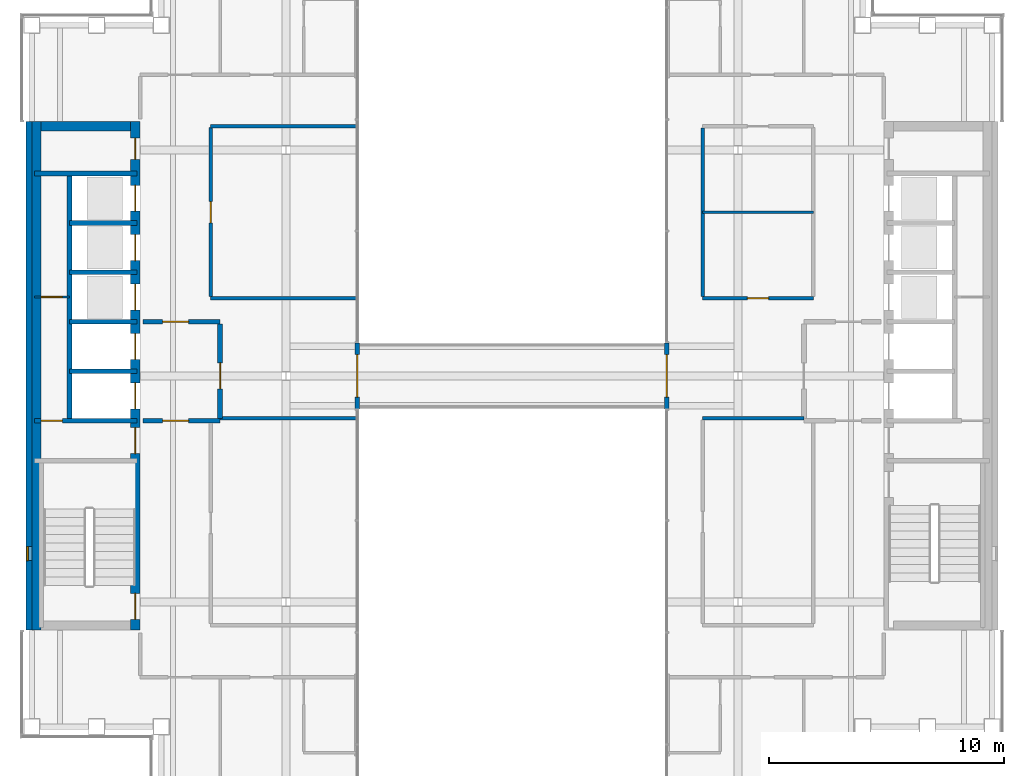
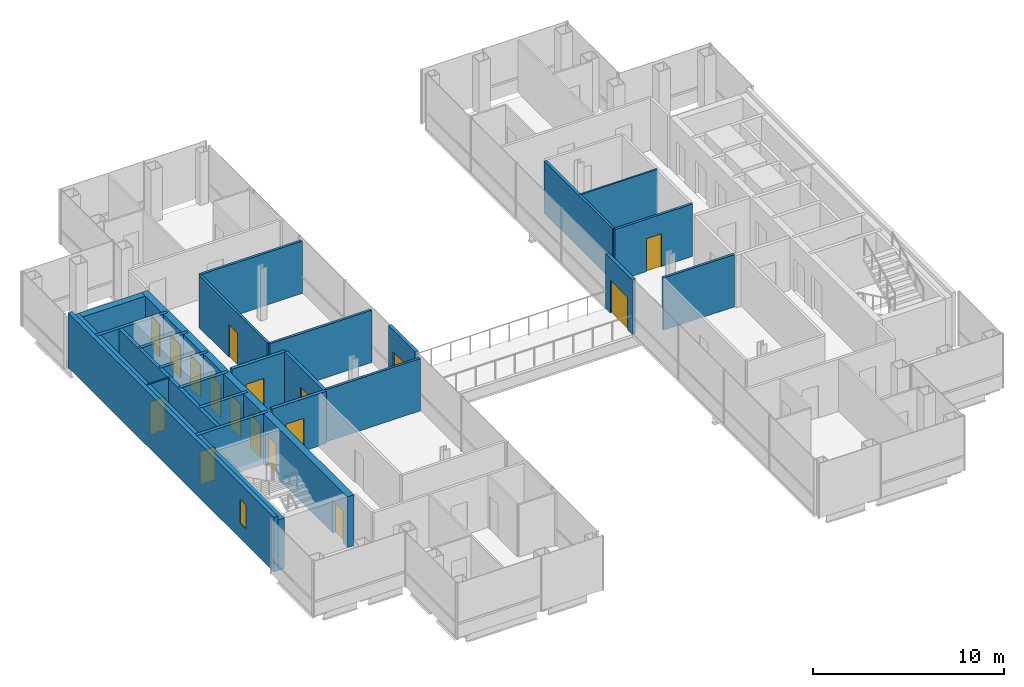
# One storey, part 11 of 15: 25 walls, 17 doors, 1 window, 18 openings.
"""IFC4 building model written with IfcOpenShell, lengths in metres."""

from ifc_helpers import new_model, si_unit, direction, frame, frame_2d, origin, place, context, subcontext, project, spatial, rectangle, extrude, material, layer, layer_set, type_object, element, fill, save


model = new_model("IFC4")

# Units and contexts
model_context = context("Model", 3, precision=1e-05, world=origin(), true_north=direction((0.0, 1.0)))
body_context = subcontext(model_context, "Body", "Model", "MODEL_VIEW")
ifc_project = project(units=[si_unit("LENGTHUNIT", "METRE"), si_unit("AREAUNIT", "SQUARE_METRE"), si_unit("VOLUMEUNIT", "CUBIC_METRE"), si_unit("PLANEANGLEUNIT", "RADIAN"), si_unit("MASSUNIT", "GRAM", prefix="KILO")], contexts=[model_context])

# Site, building, storey
site_placement = place(None, origin())
site = spatial("IfcSite", under=ifc_project, at=site_placement, CompositionType="ELEMENT")
building_placement = place(site_placement, origin())
building = spatial("IfcBuilding", under=site, at=building_placement, Name="Cobrizo Arcos Hotel Tower", CompositionType="ELEMENT")
storey_placement = place(building_placement, frame((0.0, 0.0, 222.5)))
storey = spatial("IfcBuildingStorey", under=building, at=storey_placement, Name="L58", CompositionType="ELEMENT", Elevation=222.5)

# Walls
ifc_material_1 = material(Name="Gypsum board partition")
ifc_layer_1 = layer(ifc_material_1, 0.14990234375)
ifc_layer_set_1 = layer_set([ifc_layer_1], Name="Corridor wall EI 60 150")
wall_type_1 = type_object("IfcWallType", Name="Corridor wall EI 60 150", PredefinedType="PARTITIONING", material=ifc_layer_set_1)
wall_1_placement = place(storey_placement, frame((-12.39990234375, -1.800048828125, 0.0), z_axis=(0.0, 0.0, 1.0), x_axis=(1.0, 0.0, 0.0)))
element("IfcWall", 1, at=wall_1_placement, inside=storey, type_object=wall_type_1, Name="Partition 015", PredefinedType="PARTITIONING", context=body_context, shape_type="SweptSolid", body=[
    extrude(rectangle(XDim=5.77978515625, YDim=0.14990234375, at=frame_2d((2.889892578125, 0.0))), origin(), (0.0, 0.0, 1.0), 3.35009765625),
])
wall_2_placement = place(storey_placement, frame((8.10009765625, -1.800048828125, 0.0), z_axis=(0.0, 0.0, 1.0), x_axis=(1.0, 0.0, 0.0)))
element("IfcWall", 2, at=wall_2_placement, inside=storey, type_object=wall_type_1, Name="Partition 016", PredefinedType="PARTITIONING", context=body_context, shape_type="SweptSolid", body=[
    extrude(rectangle(XDim=4.2998046875, YDim=0.14990234375, at=frame_2d((2.14990234375, 0.0))), origin(), (0.0, 0.0, 1.0), 3.35009765625),
])
wall_3_placement = place(storey_placement, frame((-12.800048828125, 3.300048828125, 0.0), z_axis=(0.0, 0.0, 1.0), x_axis=(1.0, 0.0, 0.0)))
element("IfcWall", 3, at=wall_3_placement, inside=storey, type_object=wall_type_1, Name="Partition 023", PredefinedType="PARTITIONING", context=body_context, shape_type="SweptSolid", body=[
    extrude(rectangle(XDim=6.179931640625, YDim=0.14990234375, at=frame_2d((3.08984375, 0.0))), origin(), (0.0, 0.0, 1.0), 3.35009765625),
])

# Wall, opening, door
wall_4_placement = place(storey_placement, frame((8.10009765625, 3.300048828125, 0.0), z_axis=(0.0, 0.0, 1.0), x_axis=(1.0, 0.0, 0.0)))
wall_4 = element("IfcWall", 4, at=wall_4_placement, inside=storey, type_object=wall_type_1, Name="Partition 024", PredefinedType="PARTITIONING", context=body_context, shape_type="SweptSolid", body=[
    extrude(rectangle(XDim=4.699951171875, YDim=0.14990234375, at=frame_2d((2.35009765625, 0.0))), origin(), (0.0, 0.0, 1.0), 3.35009765625),
])
opening_1_placement = place(wall_4_placement, frame((1.89990234375, 0.0, 0.0)))
opening_1 = element("IfcOpeningElement", 5, at=opening_1_placement, cuts=wall_4, Name="Opening ED-09", PredefinedType="OPENING", context=body_context, shape_type="SweptSolid", body=[
    extrude(rectangle(XDim=0.89990234375, YDim=2.10009765625, at=frame_2d((0.449951171875, 1.050048828125))), frame((0.0, 0.0869140625, 0.0), z_axis=(0.0, -1.0, 0.0), x_axis=(1.0, 0.0, 0.0)), (0.0, 0.0, 1.0), 0.173828125),
])
ifc_material_2 = material(Name="Timber door leaf", Category="wood")
door_type_1 = type_object("IfcDoorType", Name="En-suite door 900x2100", OperationType="SINGLE_SWING_LEFT", PredefinedType="DOOR", material=ifc_material_2)
door_1_placement = place(opening_1_placement, origin())
door_1 = element("IfcDoor", 6, at=door_1_placement, inside=storey, type_object=door_type_1, Name="Door ED-09", OperationType="SINGLE_SWING_RIGHT", OverallHeight=2.10009765625, OverallWidth=0.89990234375, PredefinedType="DOOR", context=body_context, shape_type="SweptSolid", body=[
    extrude(rectangle(XDim=0.89990234375, YDim=2.10009765625, at=frame_2d((0.449951171875, 1.050048828125))), frame((0.0, 0.02490234375, 0.0), z_axis=(0.0, -1.0, 0.0), x_axis=(1.0, 0.0, 0.0)), (0.0, 0.0, 1.0), 0.050048828125),
])
fill(opening_1, door_1)

# Wall
wall_5_placement = place(storey_placement, frame((-12.800048828125, 10.60009765625, 0.0), z_axis=(0.0, 0.0, 1.0), x_axis=(1.0, 0.0, 0.0)))
element("IfcWall", 7, at=wall_5_placement, inside=storey, type_object=wall_type_1, Name="Partition 034", PredefinedType="PARTITIONING", context=body_context, shape_type="SweptSolid", body=[
    extrude(rectangle(XDim=6.179931640625, YDim=0.14990234375, at=frame_2d((3.08984375, 0.0))), origin(), (0.0, 0.0, 1.0), 3.35009765625),
])

# Wall, opening, door
wall_6_placement = place(storey_placement, frame((-12.800048828125, 3.375, 0.0), z_axis=(0.0, 0.0, 1.0), x_axis=(0.0, 1.0, 0.0)))
wall_6 = element("IfcWall", 8, at=wall_6_placement, inside=storey, type_object=wall_type_1, Name="Partition 047", PredefinedType="PARTITIONING", context=body_context, shape_type="SweptSolid", body=[
    extrude(rectangle(XDim=7.175048828125, YDim=0.14990234375, at=frame_2d((3.58740234375, 0.0))), origin(), (0.0, 0.0, 1.0), 3.35009765625),
])
opening_2_placement = place(wall_6_placement, frame((3.125, 0.0, 0.0)))
opening_2 = element("IfcOpeningElement", 9, at=opening_2_placement, cuts=wall_6, Name="Opening RD-08", PredefinedType="OPENING", context=body_context, shape_type="SweptSolid", body=[
    extrude(rectangle(XDim=0.89990234375, YDim=2.10009765625, at=frame_2d((0.449951171875, 1.050048828125))), frame((0.0, 0.0869140625, 0.0), z_axis=(0.0, -1.0, 0.0), x_axis=(1.0, 0.0, 0.0)), (0.0, 0.0, 1.0), 0.173828125),
])
door_type_2 = type_object("IfcDoorType", Name="Room door FD30 900x2100", OperationType="SINGLE_SWING_LEFT", PredefinedType="DOOR", material=ifc_material_2)
door_2_placement = place(opening_2_placement, origin())
door_2 = element("IfcDoor", 10, at=door_2_placement, inside=storey, type_object=door_type_2, Name="Door RD-08", OperationType="SINGLE_SWING_RIGHT", OverallHeight=2.10009765625, OverallWidth=0.89990234375, PredefinedType="DOOR", context=body_context, shape_type="SweptSolid", body=[
    extrude(rectangle(XDim=0.89990234375, YDim=2.10009765625, at=frame_2d((0.449951171875, 1.050048828125))), frame((0.0, 0.02490234375, 0.0), z_axis=(0.0, -1.0, 0.0), x_axis=(1.0, 0.0, 0.0)), (0.0, 0.0, 1.0), 0.050048828125),
])
fill(opening_2, door_2)

# Wall
wall_7_placement = place(storey_placement, frame((8.10009765625, 3.375, 0.0), z_axis=(0.0, 0.0, 1.0), x_axis=(0.0, 1.0, 0.0)))
element("IfcWall", 11, at=wall_7_placement, inside=storey, type_object=wall_type_1, Name="Partition 058", PredefinedType="PARTITIONING", context=body_context, shape_type="SweptSolid", body=[
    extrude(rectangle(XDim=7.14990234375, YDim=0.14990234375, at=frame_2d((3.574951171875, 0.0))), origin(), (0.0, 0.0, 1.0), 3.35009765625),
])

# Wall, opening, window
ifc_material_3 = material(Name="Aluminium composite panel pale metal", Category="aluminium")
ifc_layer_2 = layer(ifc_material_3, 0.25)
ifc_layer_set_2 = layer_set([ifc_layer_2], Name="EW-1 insulated panel wall 250")
wall_type_2 = type_object("IfcWallType", Name="EW-1 insulated panel wall 250", PredefinedType="SOLIDWALL", material=ifc_layer_set_2)
wall_8_placement = place(storey_placement, frame((-20.52490234375, 10.800048828125, 0.0), z_axis=(0.0, 0.0, 1.0), x_axis=(0.0, -1.0, 0.0)))
wall_8 = element("IfcWall", 12, at=wall_8_placement, inside=storey, type_object=wall_type_2, Name="Core face wall L58 W", PredefinedType="SOLIDWALL", context=body_context, shape_type="SweptSolid", body=[
    extrude(rectangle(XDim=21.60009765625, YDim=0.25, at=frame_2d((10.800048828125, 0.0))), origin(), (0.0, 0.0, 1.0), 3.5),
])
opening_3_placement = place(wall_8_placement, frame((18.050048828125, 0.0, 1.0)))
opening_3 = element("IfcOpeningElement", 13, at=opening_3_placement, cuts=wall_8, Name="Opening W-130", PredefinedType="OPENING", context=body_context, shape_type="SweptSolid", body=[
    extrude(rectangle(XDim=0.60009765625, YDim=1.5, at=frame_2d((0.300048828125, 0.75))), frame((0.0, 0.136962890625, 0.0), z_axis=(0.0, -1.0, 0.0), x_axis=(1.0, 0.0, 0.0)), (0.0, 0.0, 1.0), 0.27392578125),
])
ifc_material_4 = material(Name="Aluminium 6063-T6 and clear laminated glass", Category="aluminium")
window_type = type_object("IfcWindowType", Name="W-C1 core stair slot window 600x1500", PartitioningType="SINGLE_PANEL", PredefinedType="WINDOW", material=ifc_material_4)
window_placement = place(opening_3_placement, origin())
window = element("IfcWindow", 14, at=window_placement, inside=storey, type_object=window_type, Name="Core face wall L58 W window W-130", OverallHeight=1.5, OverallWidth=0.60009765625, PartitioningType="SINGLE_PANEL", PredefinedType="WINDOW", context=body_context, shape_type="SweptSolid", body=[
    extrude(rectangle(XDim=0.60009765625, YDim=1.5, at=frame_2d((0.300048828125, 0.75))), frame((0.0, -0.034912109375, 0.0), z_axis=(0.0, -1.0, 0.0), x_axis=(1.0, 0.0, 0.0)), (0.0, 0.0, 1.0), 0.06005859375),
])
fill(opening_3, window)

# Wall, opening, door
ifc_material_5 = material(Name="Aluminium 6063-T6 anodised pale", Category="aluminium")
ifc_layer_3 = layer(ifc_material_5, 0.199951171875)
ifc_layer_set_3 = layer_set([ifc_layer_3], Name="EW-4 sky bridge door frame wall")
wall_type_3 = type_object("IfcWallType", Name="EW-4 sky bridge door frame wall", PredefinedType="SOLIDWALL", material=ifc_layer_set_3)
wall_9_placement = place(storey_placement, frame((6.574951171875, -1.39990234375, 0.0), z_axis=(0.0, 0.0, 1.0), x_axis=(0.0, 1.0, 0.0)))
wall_9 = element("IfcWall", 15, at=wall_9_placement, inside=storey, type_object=wall_type_3, Name="Sky bridge door wall C E", PredefinedType="SOLIDWALL", context=body_context, shape_type="SweptSolid", body=[
    extrude(rectangle(XDim=2.7998046875, YDim=0.199951171875, at=frame_2d((1.39990234375, 0.0))), origin(), (0.0, 0.0, 1.0), 3.5),
])
opening_4_placement = place(wall_9_placement, frame((0.5, 0.0, 0.0)))
opening_4 = element("IfcOpeningElement", 16, at=opening_4_placement, cuts=wall_9, Name="Opening E-58", PredefinedType="OPENING", context=body_context, shape_type="SweptSolid", body=[
    extrude(rectangle(XDim=1.800048828125, YDim=2.10009765625, at=frame_2d((0.89990234375, 1.050048828125))), frame((0.0, 0.112060546875, 0.0), z_axis=(0.0, -1.0, 0.0), x_axis=(1.0, 0.0, 0.0)), (0.0, 0.0, 1.0), 0.223876953125),
])
door_type_3 = type_object("IfcDoorType", Name="D-B1 sky bridge double door 1800x2100", OperationType="DOUBLE_DOOR_DOUBLE_SWING", PredefinedType="DOOR", material=ifc_material_4)
door_3_placement = place(opening_4_placement, origin())
door_3 = element("IfcDoor", 17, at=door_3_placement, inside=storey, type_object=door_type_3, Name="Sky bridge door wall C E door E-58", OperationType="DOUBLE_DOOR_DOUBLE_SWING", OverallHeight=2.10009765625, OverallWidth=1.800048828125, PredefinedType="DOOR", context=body_context, shape_type="SweptSolid", body=[
    extrude(rectangle(XDim=1.800048828125, YDim=2.10009765625, at=frame_2d((0.89990234375, 1.050048828125))), frame((0.0, 0.02490234375, 0.0), z_axis=(0.0, -1.0, 0.0), x_axis=(1.0, 0.0, 0.0)), (0.0, 0.0, 1.0), 0.050048828125),
])
fill(opening_4, door_3)

wall_10_placement = place(storey_placement, frame((-6.574951171875, -1.39990234375, 0.0), z_axis=(0.0, 0.0, 1.0), x_axis=(0.0, 1.0, 0.0)))
wall_10 = element("IfcWall", 18, at=wall_10_placement, inside=storey, type_object=wall_type_3, Name="Sky bridge door wall C W", PredefinedType="SOLIDWALL", context=body_context, shape_type="SweptSolid", body=[
    extrude(rectangle(XDim=2.7998046875, YDim=0.199951171875, at=frame_2d((1.39990234375, 0.0))), origin(), (0.0, 0.0, 1.0), 3.5),
])
opening_5_placement = place(wall_10_placement, frame((0.5, 0.0, 0.0)))
opening_5 = element("IfcOpeningElement", 19, at=opening_5_placement, cuts=wall_10, Name="Opening E-59", PredefinedType="OPENING", context=body_context, shape_type="SweptSolid", body=[
    extrude(rectangle(XDim=1.800048828125, YDim=2.10009765625, at=frame_2d((0.89990234375, 1.050048828125))), frame((0.0, 0.112060546875, 0.0), z_axis=(0.0, -1.0, 0.0), x_axis=(1.0, 0.0, 0.0)), (0.0, 0.0, 1.0), 0.223876953125),
])
door_4_placement = place(opening_5_placement, origin())
door_4 = element("IfcDoor", 20, at=door_4_placement, inside=storey, type_object=door_type_3, Name="Sky bridge door wall C W door E-59", OperationType="DOUBLE_DOOR_DOUBLE_SWING", OverallHeight=2.10009765625, OverallWidth=1.800048828125, PredefinedType="DOOR", context=body_context, shape_type="SweptSolid", body=[
    extrude(rectangle(XDim=1.800048828125, YDim=2.10009765625, at=frame_2d((0.89990234375, 1.050048828125))), frame((0.0, 0.02490234375, 0.0), z_axis=(0.0, -1.0, 0.0), x_axis=(1.0, 0.0, 0.0)), (0.0, 0.0, 1.0), 0.050048828125),
])
fill(opening_5, door_4)

ifc_layer_4 = layer(ifc_material_1, 0.10009765625)
ifc_layer_set_4 = layer_set([ifc_layer_4], Name="Partition EI 30 100")
wall_type_4 = type_object("IfcWallType", Name="Partition EI 30 100", PredefinedType="PARTITIONING", material=ifc_layer_set_4)
wall_11_placement = place(storey_placement, frame((-20.280029296875, 3.35009765625, 0.0), z_axis=(0.0, 0.0, 1.0), x_axis=(1.0, 0.0, 0.0)))
wall_11 = element("IfcWall", 21, at=wall_11_placement, inside=storey, type_object=wall_type_4, Name="Partition 025", PredefinedType="PARTITIONING", context=body_context, shape_type="SweptSolid", body=[
    extrude(rectangle(XDim=1.47998046875, YDim=0.10009765625, at=frame_2d((0.739990234375, 0.0))), origin(), (0.0, 0.0, 1.0), 3.25),
])
opening_6_placement = place(wall_11_placement, frame((0.280029296875, 0.0, 0.0)))
opening_6 = element("IfcOpeningElement", 22, at=opening_6_placement, cuts=wall_11, Name="Opening RD-03", PredefinedType="OPENING", context=body_context, shape_type="SweptSolid", body=[
    extrude(rectangle(XDim=0.89990234375, YDim=2.10009765625, at=frame_2d((0.449951171875, 1.050048828125))), frame((0.0, 0.06201171875, 0.0), z_axis=(0.0, -1.0, 0.0), x_axis=(1.0, 0.0, 0.0)), (0.0, 0.0, 1.0), 0.1240234375),
])
door_5_placement = place(opening_6_placement, origin())
door_5 = element("IfcDoor", 23, at=door_5_placement, inside=storey, type_object=door_type_2, Name="Door RD-03", OperationType="SINGLE_SWING_LEFT", OverallHeight=2.10009765625, OverallWidth=0.89990234375, PredefinedType="DOOR", context=body_context, shape_type="SweptSolid", body=[
    extrude(rectangle(XDim=0.89990234375, YDim=2.10009765625, at=frame_2d((0.449951171875, 1.050048828125))), frame((0.0, 0.02490234375, 0.0), z_axis=(0.0, -1.0, 0.0), x_axis=(1.0, 0.0, 0.0)), (0.0, 0.0, 1.0), 0.050048828125),
])
fill(opening_6, door_5)

# Wall
wall_12_placement = place(storey_placement, frame((8.10009765625, 6.949951171875, 0.0), z_axis=(0.0, 0.0, 1.0), x_axis=(1.0, 0.0, 0.0)))
element("IfcWall", 24, at=wall_12_placement, inside=storey, type_object=wall_type_4, Name="Partition 031", PredefinedType="PARTITIONING", context=body_context, shape_type="SweptSolid", body=[
    extrude(rectangle(XDim=4.699951171875, YDim=0.10009765625, at=frame_2d((2.35009765625, 0.0))), origin(), (0.0, 0.0, 1.0), 3.35009765625),
])

# Wall, openings, doors
ifc_material_6 = material(Name="Concrete f'c 40 MPa", Category="concrete")
ifc_layer_5 = layer(ifc_material_6, 0.39990234375)
ifc_layer_set_5 = layer_set([ifc_layer_5], Name="RC core wall 400 f'c 40")
wall_type_5 = type_object("IfcWallType", Name="RC core wall 400 f'c 40", PredefinedType="SHEAR", material=ifc_layer_set_5)
wall_13_placement = place(storey_placement, frame((-16.0, -10.800048828125, 0.0), z_axis=(0.0, 0.0, 1.0), x_axis=(0.0, 1.0, 0.0)))
wall_13 = element("IfcWall", 25, at=wall_13_placement, inside=storey, type_object=wall_type_5, Name="Core wall CW4, west core, inner face, L58", PredefinedType="SHEAR", context=body_context, shape_type="SweptSolid", body=[
    extrude(rectangle(XDim=21.60009765625, YDim=0.39990234375, at=frame_2d((10.800048828125, 0.0))), origin(), (0.0, 0.0, 1.0), 3.25),
])
opening_7_placement = place(wall_13_placement, frame((9.39990234375, 0.0, 0.0)))
opening_7 = element("IfcOpeningElement", 26, at=opening_7_placement, cuts=wall_13, Name="Opening LD-01", PredefinedType="OPENING", context=body_context, shape_type="SweptSolid", body=[
    extrude(rectangle(XDim=1.10009765625, YDim=2.10009765625, at=frame_2d((0.550048828125, 1.050048828125))), frame((0.0, 0.2119140625, 0.0), z_axis=(0.0, -1.0, 0.0), x_axis=(1.0, 0.0, 0.0)), (0.0, 0.0, 1.0), 0.423828125),
])
opening_8_placement = place(wall_13_placement, frame((11.5, 0.0, 0.0)))
opening_8 = element("IfcOpeningElement", 27, at=opening_8_placement, cuts=wall_13, Name="Opening LD-02", PredefinedType="OPENING", context=body_context, shape_type="SweptSolid", body=[
    extrude(rectangle(XDim=1.10009765625, YDim=2.10009765625, at=frame_2d((0.550048828125, 1.050048828125))), frame((0.0, 0.2119140625, 0.0), z_axis=(0.0, -1.0, 0.0), x_axis=(1.0, 0.0, 0.0)), (0.0, 0.0, 1.0), 0.423828125),
])
opening_9_placement = place(wall_13_placement, frame((13.60009765625, 0.0, 0.0)))
opening_9 = element("IfcOpeningElement", 28, at=opening_9_placement, cuts=wall_13, Name="Opening LD-03", PredefinedType="OPENING", context=body_context, shape_type="SweptSolid", body=[
    extrude(rectangle(XDim=1.10009765625, YDim=2.10009765625, at=frame_2d((0.550048828125, 1.050048828125))), frame((0.0, 0.2119140625, 0.0), z_axis=(0.0, -1.0, 0.0), x_axis=(1.0, 0.0, 0.0)), (0.0, 0.0, 1.0), 0.423828125),
])
opening_10_placement = place(wall_13_placement, frame((15.699951171875, 0.0, 0.0)))
opening_10 = element("IfcOpeningElement", 29, at=opening_10_placement, cuts=wall_13, Name="Opening LD-04", PredefinedType="OPENING", context=body_context, shape_type="SweptSolid", body=[
    extrude(rectangle(XDim=1.10009765625, YDim=2.10009765625, at=frame_2d((0.550048828125, 1.050048828125))), frame((0.0, 0.2119140625, 0.0), z_axis=(0.0, -1.0, 0.0), x_axis=(1.0, 0.0, 0.0)), (0.0, 0.0, 1.0), 0.423828125),
])
opening_11_placement = place(wall_13_placement, frame((17.800048828125, 0.0, 0.0)))
opening_11 = element("IfcOpeningElement", 30, at=opening_11_placement, cuts=wall_13, Name="Opening LD-05", PredefinedType="OPENING", context=body_context, shape_type="SweptSolid", body=[
    extrude(rectangle(XDim=1.10009765625, YDim=2.10009765625, at=frame_2d((0.550048828125, 1.050048828125))), frame((0.0, 0.2119140625, 0.0), z_axis=(0.0, -1.0, 0.0), x_axis=(1.0, 0.0, 0.0)), (0.0, 0.0, 1.0), 0.423828125),
])
opening_12_placement = place(wall_13_placement, frame((0.4580078125, 0.0, 0.0)))
opening_12 = element("IfcOpeningElement", 31, at=opening_12_placement, cuts=wall_13, Name="Opening SD-01", PredefinedType="OPENING", context=body_context, shape_type="SweptSolid", body=[
    extrude(rectangle(XDim=1.10009765625, YDim=2.10009765625, at=frame_2d((0.550048828125, 1.050048828125))), frame((0.0, 0.2119140625, 0.0), z_axis=(0.0, -1.0, 0.0), x_axis=(1.0, 0.0, 0.0)), (0.0, 0.0, 1.0), 0.423828125),
])
opening_13_placement = place(wall_13_placement, frame((7.5, 0.0, 0.0)))
opening_13 = element("IfcOpeningElement", 32, at=opening_13_placement, cuts=wall_13, Name="Opening FD-01", PredefinedType="OPENING", context=body_context, shape_type="SweptSolid", body=[
    extrude(rectangle(XDim=1.10009765625, YDim=2.10009765625, at=frame_2d((0.550048828125, 1.050048828125))), frame((0.0, 0.2119140625, 0.0), z_axis=(0.0, -1.0, 0.0), x_axis=(1.0, 0.0, 0.0)), (0.0, 0.0, 1.0), 0.423828125),
])
opening_14_placement = place(wall_13_placement, frame((20.0, 0.0, 0.0)))
opening_14 = element("IfcOpeningElement", 33, at=opening_14_placement, cuts=wall_13, Name="Opening RD-01", PredefinedType="OPENING", context=body_context, shape_type="SweptSolid", body=[
    extrude(rectangle(XDim=0.89990234375, YDim=2.10009765625, at=frame_2d((0.449951171875, 1.050048828125))), frame((0.0, 0.2119140625, 0.0), z_axis=(0.0, -1.0, 0.0), x_axis=(1.0, 0.0, 0.0)), (0.0, 0.0, 1.0), 0.423828125),
])
ifc_material_7 = material(Name="Steel door leaf", Category="steel")
door_type_4 = type_object("IfcDoorType", Name="Fire door FD60 1100x2100", OperationType="SINGLE_SWING_LEFT", PredefinedType="DOOR", material=ifc_material_7)
door_6_placement = place(opening_13_placement, origin())
door_6 = element("IfcDoor", 34, at=door_6_placement, inside=storey, type_object=door_type_4, Name="Door FD-01", OperationType="SINGLE_SWING_LEFT", OverallHeight=2.10009765625, OverallWidth=1.10009765625, PredefinedType="DOOR", context=body_context, shape_type="SweptSolid", body=[
    extrude(rectangle(XDim=1.10009765625, YDim=2.10009765625, at=frame_2d((0.550048828125, 1.050048828125))), frame((0.0, 0.02490234375, 0.0), z_axis=(0.0, -1.0, 0.0), x_axis=(1.0, 0.0, 0.0)), (0.0, 0.0, 1.0), 0.050048828125),
])
fill(opening_13, door_6)
door_type_5 = type_object("IfcDoorType", Name="Lift landing door 1100x2100", OperationType="SLIDING_TO_LEFT", PredefinedType="DOOR", material=ifc_material_7)
door_7_placement = place(opening_7_placement, origin())
door_7 = element("IfcDoor", 35, at=door_7_placement, inside=storey, type_object=door_type_5, Name="Lift landing door LD-01", OperationType="SLIDING_TO_LEFT", OverallHeight=2.10009765625, OverallWidth=1.10009765625, PredefinedType="DOOR", context=body_context, shape_type="SweptSolid", body=[
    extrude(rectangle(XDim=1.10009765625, YDim=2.10009765625, at=frame_2d((0.550048828125, 1.050048828125))), frame((0.0, 0.02490234375, 0.0), z_axis=(0.0, -1.0, 0.0), x_axis=(1.0, 0.0, 0.0)), (0.0, 0.0, 1.0), 0.050048828125),
])
fill(opening_7, door_7)
door_8_placement = place(opening_8_placement, origin())
door_8 = element("IfcDoor", 36, at=door_8_placement, inside=storey, type_object=door_type_5, Name="Lift landing door LD-02", OperationType="SLIDING_TO_LEFT", OverallHeight=2.10009765625, OverallWidth=1.10009765625, PredefinedType="DOOR", context=body_context, shape_type="SweptSolid", body=[
    extrude(rectangle(XDim=1.10009765625, YDim=2.10009765625, at=frame_2d((0.550048828125, 1.050048828125))), frame((0.0, 0.02490234375, 0.0), z_axis=(0.0, -1.0, 0.0), x_axis=(1.0, 0.0, 0.0)), (0.0, 0.0, 1.0), 0.050048828125),
])
fill(opening_8, door_8)
door_9_placement = place(opening_9_placement, origin())
door_9 = element("IfcDoor", 37, at=door_9_placement, inside=storey, type_object=door_type_5, Name="Lift landing door LD-03", OperationType="SLIDING_TO_LEFT", OverallHeight=2.10009765625, OverallWidth=1.10009765625, PredefinedType="DOOR", context=body_context, shape_type="SweptSolid", body=[
    extrude(rectangle(XDim=1.10009765625, YDim=2.10009765625, at=frame_2d((0.550048828125, 1.050048828125))), frame((0.0, 0.02490234375, 0.0), z_axis=(0.0, -1.0, 0.0), x_axis=(1.0, 0.0, 0.0)), (0.0, 0.0, 1.0), 0.050048828125),
])
fill(opening_9, door_9)
door_10_placement = place(opening_10_placement, origin())
door_10 = element("IfcDoor", 38, at=door_10_placement, inside=storey, type_object=door_type_5, Name="Lift landing door LD-04", OperationType="SLIDING_TO_LEFT", OverallHeight=2.10009765625, OverallWidth=1.10009765625, PredefinedType="DOOR", context=body_context, shape_type="SweptSolid", body=[
    extrude(rectangle(XDim=1.10009765625, YDim=2.10009765625, at=frame_2d((0.550048828125, 1.050048828125))), frame((0.0, 0.02490234375, 0.0), z_axis=(0.0, -1.0, 0.0), x_axis=(1.0, 0.0, 0.0)), (0.0, 0.0, 1.0), 0.050048828125),
])
fill(opening_10, door_10)
door_11_placement = place(opening_11_placement, origin())
door_11 = element("IfcDoor", 39, at=door_11_placement, inside=storey, type_object=door_type_5, Name="Lift landing door LD-05", OperationType="SLIDING_TO_LEFT", OverallHeight=2.10009765625, OverallWidth=1.10009765625, PredefinedType="DOOR", context=body_context, shape_type="SweptSolid", body=[
    extrude(rectangle(XDim=1.10009765625, YDim=2.10009765625, at=frame_2d((0.550048828125, 1.050048828125))), frame((0.0, 0.02490234375, 0.0), z_axis=(0.0, -1.0, 0.0), x_axis=(1.0, 0.0, 0.0)), (0.0, 0.0, 1.0), 0.050048828125),
])
fill(opening_11, door_11)
door_12_placement = place(opening_14_placement, origin())
door_12 = element("IfcDoor", 40, at=door_12_placement, inside=storey, type_object=door_type_2, Name="Door RD-01", OperationType="SINGLE_SWING_RIGHT", OverallHeight=2.10009765625, OverallWidth=0.89990234375, PredefinedType="DOOR", context=body_context, shape_type="SweptSolid", body=[
    extrude(rectangle(XDim=0.89990234375, YDim=2.10009765625, at=frame_2d((0.449951171875, 1.050048828125))), frame((0.0, 0.02490234375, 0.0), z_axis=(0.0, -1.0, 0.0), x_axis=(1.0, 0.0, 0.0)), (0.0, 0.0, 1.0), 0.050048828125),
])
fill(opening_14, door_12)
door_type_6 = type_object("IfcDoorType", Name="Stair door FD60S 1100x2100", OperationType="SINGLE_SWING_LEFT", PredefinedType="DOOR", material=ifc_material_7)
door_13_placement = place(opening_12_placement, origin())
door_13 = element("IfcDoor", 41, at=door_13_placement, inside=storey, type_object=door_type_6, Name="Door SD-01", OperationType="SINGLE_SWING_LEFT", OverallHeight=2.10009765625, OverallWidth=1.10009765625, PredefinedType="DOOR", context=body_context, shape_type="SweptSolid", body=[
    extrude(rectangle(XDim=1.10009765625, YDim=2.10009765625, at=frame_2d((0.550048828125, 1.050048828125))), frame((0.0, 0.02490234375, 0.0), z_axis=(0.0, -1.0, 0.0), x_axis=(1.0, 0.0, 0.0)), (0.0, 0.0, 1.0), 0.050048828125),
])
fill(opening_12, door_13)

# Walls
wall_14_placement = place(storey_placement, frame((-20.199951171875, -10.800048828125, 0.0), z_axis=(0.0, 0.0, 1.0), x_axis=(0.0, 1.0, 0.0)))
element("IfcWall", 42, at=wall_14_placement, inside=storey, type_object=wall_type_5, Name="Core wall CW4, west core, outer face, L58", PredefinedType="SHEAR", context=body_context, shape_type="SweptSolid", body=[
    extrude(rectangle(XDim=21.60009765625, YDim=0.39990234375, at=frame_2d((10.800048828125, 0.0))), origin(), (0.0, 0.0, 1.0), 3.25),
])
wall_15_placement = place(storey_placement, frame((-20.0, 10.60009765625, 0.0), z_axis=(0.0, 0.0, 1.0), x_axis=(1.0, 0.0, 0.0)))
element("IfcWall", 43, at=wall_15_placement, inside=storey, type_object=wall_type_5, Name="Core wall CW4, west core, north end, L58", PredefinedType="SHEAR", context=body_context, shape_type="SweptSolid", body=[
    extrude(rectangle(XDim=3.800048828125, YDim=0.39990234375, at=frame_2d((1.89990234375, 0.0))), origin(), (0.0, 0.0, 1.0), 3.25),
])

# Wall, opening, door
ifc_layer_6 = layer(ifc_material_1, 0.199951171875)
ifc_layer_set_6 = layer_set([ifc_layer_6], Name="Shaft wall EI 120 200")
wall_type_6 = type_object("IfcWallType", Name="Shaft wall EI 120 200", PredefinedType="PARTITIONING", material=ifc_layer_set_6)
wall_16_placement = place(storey_placement, frame((-20.280029296875, -1.89990234375, 0.0), z_axis=(0.0, 0.0, 1.0), x_axis=(1.0, 0.0, 0.0)))
wall_16 = element("IfcWall", 44, at=wall_16_placement, inside=storey, type_object=wall_type_6, Name="Partition 011", PredefinedType="PARTITIONING", context=body_context, shape_type="SweptSolid", body=[
    extrude(rectangle(XDim=4.360107421875, YDim=0.199951171875, at=frame_2d((2.18017578125, 0.0))), origin(), (0.0, 0.0, 1.0), 3.25),
])
opening_15_placement = place(wall_16_placement, frame((0.280029296875, 0.0, 0.0)))
opening_15 = element("IfcOpeningElement", 45, at=opening_15_placement, cuts=wall_16, Name="Opening RD-02", PredefinedType="OPENING", context=body_context, shape_type="SweptSolid", body=[
    extrude(rectangle(XDim=0.89990234375, YDim=2.10009765625, at=frame_2d((0.449951171875, 1.050048828125))), frame((0.0, 0.112060546875, 0.0), z_axis=(0.0, -1.0, 0.0), x_axis=(1.0, 0.0, 0.0)), (0.0, 0.0, 1.0), 0.223876953125),
])
door_14_placement = place(opening_15_placement, origin())
door_14 = element("IfcDoor", 46, at=door_14_placement, inside=storey, type_object=door_type_2, Name="Door RD-02", OperationType="SINGLE_SWING_RIGHT", OverallHeight=2.10009765625, OverallWidth=0.89990234375, PredefinedType="DOOR", context=body_context, shape_type="SweptSolid", body=[
    extrude(rectangle(XDim=0.89990234375, YDim=2.10009765625, at=frame_2d((0.449951171875, 1.050048828125))), frame((0.0, 0.02490234375, 0.0), z_axis=(0.0, -1.0, 0.0), x_axis=(1.0, 0.0, 0.0)), (0.0, 0.0, 1.0), 0.050048828125),
])
fill(opening_15, door_14)

wall_17_placement = place(storey_placement, frame((-15.679931640625, -1.89990234375, 0.0), z_axis=(0.0, 0.0, 1.0), x_axis=(1.0, 0.0, 0.0)))
wall_17 = element("IfcWall", 47, at=wall_17_placement, inside=storey, type_object=wall_type_6, Name="Partition 012", PredefinedType="PARTITIONING", context=body_context, shape_type="SweptSolid", body=[
    extrude(rectangle(XDim=3.280029296875, YDim=0.199951171875, at=frame_2d((1.64013671875, 0.0))), origin(), (0.0, 0.0, 1.0), 3.35009765625),
])
opening_16_placement = place(wall_17_placement, frame((0.840087890625, 0.0, 0.0)))
opening_16 = element("IfcOpeningElement", 48, at=opening_16_placement, cuts=wall_17, Name="Opening FD-03", PredefinedType="OPENING", context=body_context, shape_type="SweptSolid", body=[
    extrude(rectangle(XDim=1.10009765625, YDim=2.10009765625, at=frame_2d((0.550048828125, 1.050048828125))), frame((0.0, 0.112060546875, 0.0), z_axis=(0.0, -1.0, 0.0), x_axis=(1.0, 0.0, 0.0)), (0.0, 0.0, 1.0), 0.223876953125),
])
door_15_placement = place(opening_16_placement, origin())
door_15 = element("IfcDoor", 49, at=door_15_placement, inside=storey, type_object=door_type_4, Name="Door FD-03", OperationType="SINGLE_SWING_LEFT", OverallHeight=2.10009765625, OverallWidth=1.10009765625, PredefinedType="DOOR", context=body_context, shape_type="SweptSolid", body=[
    extrude(rectangle(XDim=1.10009765625, YDim=2.10009765625, at=frame_2d((0.550048828125, 1.050048828125))), frame((0.0, 0.02490234375, 0.0), z_axis=(0.0, -1.0, 0.0), x_axis=(1.0, 0.0, 0.0)), (0.0, 0.0, 1.0), 0.050048828125),
])
fill(opening_16, door_15)

# Walls
for number, where, z_axis, x_axis, name in (
    (50, (-18.800048828125, 0.199951171875, 0.0), (0.0, 0.0, 1.0), (1.0, 0.0, 0.0), "Partition 017"),
    (51, (-18.800048828125, 2.300048828125, 0.0), (0.0, 0.0, 1.0), (1.0, 0.0, 0.0), "Partition 019"),
):
    element("IfcWall", number, at=place(storey_placement, frame(where, z_axis=z_axis, x_axis=x_axis)), inside=storey, type_object=wall_type_6, Name=name, PredefinedType="PARTITIONING", context=body_context, shape_type="SweptSolid", body=[
        extrude(rectangle(XDim=2.880126953125, YDim=0.199951171875, at=frame_2d((1.43994140625, 0.0))), origin(), (0.0, 0.0, 1.0), 3.25),
    ])

# Wall, opening, door
wall_18_placement = place(storey_placement, frame((-15.679931640625, 2.300048828125, 0.0), z_axis=(0.0, 0.0, 1.0), x_axis=(1.0, 0.0, 0.0)))
wall_18 = element("IfcWall", 52, at=wall_18_placement, inside=storey, type_object=wall_type_6, Name="Partition 020", PredefinedType="PARTITIONING", context=body_context, shape_type="SweptSolid", body=[
    extrude(rectangle(XDim=3.280029296875, YDim=0.199951171875, at=frame_2d((1.64013671875, 0.0))), origin(), (0.0, 0.0, 1.0), 3.35009765625),
])
opening_17_placement = place(wall_18_placement, frame((0.840087890625, 0.0, 0.0)))
opening_17 = element("IfcOpeningElement", 53, at=opening_17_placement, cuts=wall_18, Name="Opening FD-04", PredefinedType="OPENING", context=body_context, shape_type="SweptSolid", body=[
    extrude(rectangle(XDim=1.10009765625, YDim=2.10009765625, at=frame_2d((0.550048828125, 1.050048828125))), frame((0.0, 0.112060546875, 0.0), z_axis=(0.0, -1.0, 0.0), x_axis=(1.0, 0.0, 0.0)), (0.0, 0.0, 1.0), 0.223876953125),
])
door_16_placement = place(opening_17_placement, origin())
door_16 = element("IfcDoor", 54, at=door_16_placement, inside=storey, type_object=door_type_4, Name="Door FD-04", OperationType="SINGLE_SWING_LEFT", OverallHeight=2.10009765625, OverallWidth=1.10009765625, PredefinedType="DOOR", context=body_context, shape_type="SweptSolid", body=[
    extrude(rectangle(XDim=1.10009765625, YDim=2.10009765625, at=frame_2d((0.550048828125, 1.050048828125))), frame((0.0, 0.02490234375, 0.0), z_axis=(0.0, -1.0, 0.0), x_axis=(1.0, 0.0, 0.0)), (0.0, 0.0, 1.0), 0.050048828125),
])
fill(opening_17, door_16)

# Walls
for number, where, z_axis, x_axis, name in (
    (55, (-18.800048828125, 4.39990234375, 0.0), (0.0, 0.0, 1.0), (1.0, 0.0, 0.0), "Partition 027"),
    (56, (-18.800048828125, 6.5, 0.0), (0.0, 0.0, 1.0), (1.0, 0.0, 0.0), "Partition 029"),
):
    element("IfcWall", number, at=place(storey_placement, frame(where, z_axis=z_axis, x_axis=x_axis)), inside=storey, type_object=wall_type_6, Name=name, PredefinedType="PARTITIONING", context=body_context, shape_type="SweptSolid", body=[
        extrude(rectangle(XDim=2.880126953125, YDim=0.199951171875, at=frame_2d((1.43994140625, 0.0))), origin(), (0.0, 0.0, 1.0), 3.25),
    ])
wall_19_placement = place(storey_placement, frame((-20.280029296875, 8.60009765625, 0.0), z_axis=(0.0, 0.0, 1.0), x_axis=(1.0, 0.0, 0.0)))
element("IfcWall", 57, at=wall_19_placement, inside=storey, type_object=wall_type_6, Name="Partition 032", PredefinedType="PARTITIONING", context=body_context, shape_type="SweptSolid", body=[
    extrude(rectangle(XDim=4.360107421875, YDim=0.199951171875, at=frame_2d((2.18017578125, 0.0))), origin(), (0.0, 0.0, 1.0), 3.25),
])
wall_20_placement = place(storey_placement, frame((-18.800048828125, -1.800048828125, 0.0), z_axis=(0.0, 0.0, 1.0), x_axis=(0.0, 1.0, 0.0)))
element("IfcWall", 58, at=wall_20_placement, inside=storey, type_object=wall_type_6, Name="Partition 043", PredefinedType="PARTITIONING", context=body_context, shape_type="SweptSolid", body=[
    extrude(rectangle(XDim=10.300048828125, YDim=0.199951171875, at=frame_2d((5.14990234375, 0.0))), origin(), (0.0, 0.0, 1.0), 3.25),
])

# Wall, opening, door
wall_21_placement = place(storey_placement, frame((-12.39990234375, -1.800048828125, 0.0), z_axis=(0.0, 0.0, 1.0), x_axis=(0.0, 1.0, 0.0)))
wall_21 = element("IfcWall", 59, at=wall_21_placement, inside=storey, type_object=wall_type_6, Name="Partition 049", PredefinedType="PARTITIONING", context=body_context, shape_type="SweptSolid", body=[
    extrude(rectangle(XDim=4.0, YDim=0.199951171875, at=frame_2d((2.0, 0.0))), origin(), (0.0, 0.0, 1.0), 3.35009765625),
])
opening_18_placement = place(wall_21_placement, frame((1.25, 0.0, 0.0)))
opening_18 = element("IfcOpeningElement", 60, at=opening_18_placement, cuts=wall_21, Name="Opening FD-02", PredefinedType="OPENING", context=body_context, shape_type="SweptSolid", body=[
    extrude(rectangle(XDim=1.10009765625, YDim=2.10009765625, at=frame_2d((0.550048828125, 1.050048828125))), frame((0.0, 0.112060546875, 0.0), z_axis=(0.0, -1.0, 0.0), x_axis=(1.0, 0.0, 0.0)), (0.0, 0.0, 1.0), 0.223876953125),
])
door_17_placement = place(opening_18_placement, origin())
door_17 = element("IfcDoor", 61, at=door_17_placement, inside=storey, type_object=door_type_4, Name="Door FD-02", OperationType="SINGLE_SWING_LEFT", OverallHeight=2.10009765625, OverallWidth=1.10009765625, PredefinedType="DOOR", context=body_context, shape_type="SweptSolid", body=[
    extrude(rectangle(XDim=1.10009765625, YDim=2.10009765625, at=frame_2d((0.550048828125, 1.050048828125))), frame((0.0, 0.02490234375, 0.0), z_axis=(0.0, -1.0, 0.0), x_axis=(1.0, 0.0, 0.0)), (0.0, 0.0, 1.0), 0.050048828125),
])
fill(opening_18, door_17)

save(model, "model.ifc")
